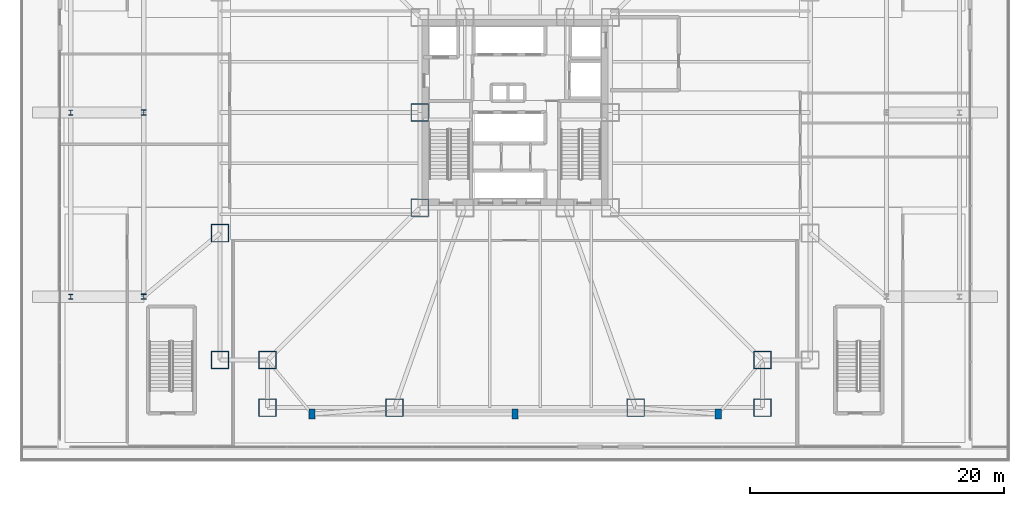
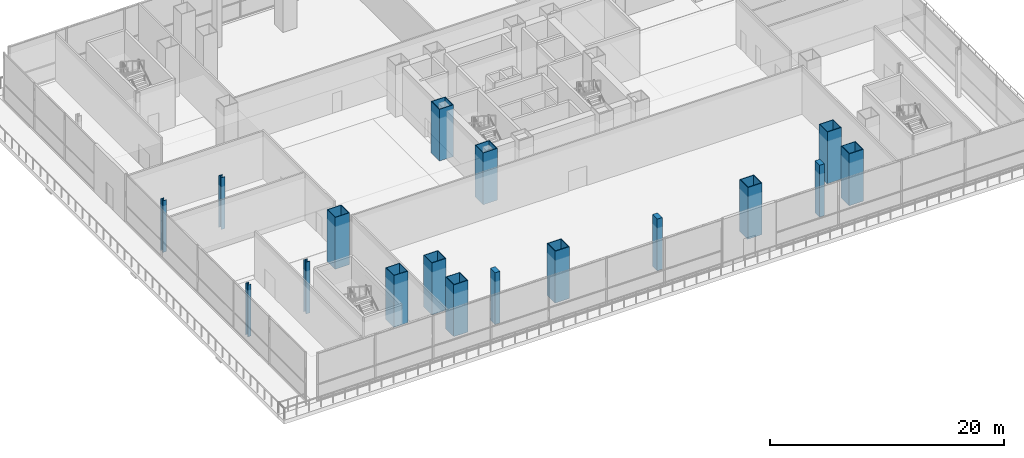
# One storey, part 1 of 35: 17 columns.
"""IFC4 building model written with IfcOpenShell, lengths in metres."""

import ifcopenshell
import ifcopenshell.guid

model = None  # the IFC model being written
_history = None  # IfcOwnerHistory: only IFC2X3 demands one
_inside = {}  # id of a spatial element -> (the spatial element, [elements in it])
_under = {}  # id of a project, library or spatial element -> (it, [spatial elements below it])
_declared = {}  # id of a project -> (the project, [libraries it declares])
_typed = {}  # id of a type object -> (the type object, [elements of that type])
_made_of = {}  # id of a material, layer set ... -> (it, [elements and type objects made of it])


def new_model(schema):
    """Start an empty IFC model of exactly this schema.

    Asked for "IFC4X3", IfcOpenShell would pick the latest addendum, in which some entities
    have other attributes; the version numbers below select the first issue.
    IFC2X3 requires an IfcOwnerHistory on every rooted entity: one is made here for all.
    """
    global model, _history
    if schema == "IFC4X3":
        model = ifcopenshell.file(schema_version=(4, 3, 0, 0))
    else:
        model = ifcopenshell.file(schema=schema)
    _inside.clear()
    _under.clear()
    _declared.clear()
    _typed.clear()
    _made_of.clear()
    _history = None
    if model.schema == "IFC2X3":
        org = make("IfcOrganization", Name="unknown")
        user = make(
            "IfcPersonAndOrganization",
            ThePerson=make("IfcPerson", FamilyName="unknown"),
            TheOrganization=org,
        )
        app = make(
            "IfcApplication",
            ApplicationDeveloper=org,
            Version="unknown",
            ApplicationFullName="unknown",
            ApplicationIdentifier="unknown",
        )
        _history = make(
            "IfcOwnerHistory",
            OwningUser=user,
            OwningApplication=app,
            ChangeAction="ADDED",
            CreationDate=0,
        )
    return model


def make(cls, **values):
    """One entity of the class cls with the attributes given. An attribute that is None is left unset."""
    return model.create_entity(
        cls, **{name: value for name, value in values.items() if value is not None}
    )


def rooted(cls, **values):
    """An entity with a GlobalId (a new one), such as an element, a storey or a relation."""
    return make(cls, GlobalId=ifcopenshell.guid.new(), OwnerHistory=_history, **values)


def si_unit(unit_type, name, prefix=None):
    """IfcSIUnit, for example si_unit("LENGTHUNIT", "METRE", prefix="MILLI")."""
    return make("IfcSIUnit", UnitType=unit_type, Prefix=prefix, Name=name)


def assignment(units):
    """IfcUnitAssignment: the units of a project."""
    return None if units is None else make("IfcUnitAssignment", Units=units)


def point(xyz):
    """IfcCartesianPoint."""
    return None if xyz is None else make("IfcCartesianPoint", Coordinates=xyz)


def direction(xyz):
    """IfcDirection."""
    return None if xyz is None else make("IfcDirection", DirectionRatios=xyz)


def frame(location, z_axis=None, x_axis=None):
    """IfcAxis2Placement3D, a coordinate frame: its origin and axes. An axis left out is left unset."""
    return make(
        "IfcAxis2Placement3D",
        Location=point(location),
        Axis=direction(z_axis),
        RefDirection=direction(x_axis),
    )


def frame_2d(location, x_axis=None):
    """IfcAxis2Placement2D, a coordinate frame in the plane: its origin and x axis."""
    return make(
        "IfcAxis2Placement2D", Location=point(location), RefDirection=direction(x_axis)
    )


def origin():
    """The frame at (0, 0, 0) with its axes left unset."""
    return frame((0.0, 0.0, 0.0))


def origin_2d():
    """The frame at (0, 0) in the plane with its x axis left unset."""
    return frame_2d((0.0, 0.0))


def place(relative_to, where):
    """IfcLocalPlacement: puts the frame where relative to a parent placement (None: the world)."""
    return make(
        "IfcLocalPlacement", PlacementRelTo=relative_to, RelativePlacement=where
    )


def context(
    kind, dimensions, precision=None, world=None, true_north=None, identifier=None
):
    """IfcGeometricRepresentationContext, for example the 3D "Model" context."""
    return make(
        "IfcGeometricRepresentationContext",
        ContextIdentifier=identifier,
        ContextType=kind,
        CoordinateSpaceDimension=dimensions,
        Precision=precision,
        WorldCoordinateSystem=world,
        TrueNorth=true_north,
    )


def subcontext(parent, identifier, kind, view, scale=None):
    """IfcGeometricRepresentationSubContext, for example "Body" below "Model"."""
    return make(
        "IfcGeometricRepresentationSubContext",
        ContextIdentifier=identifier,
        ContextType=kind,
        ParentContext=parent,
        TargetScale=scale,
        TargetView=view,
    )


def project(units=None, contexts=None):
    """IfcProject with its units and contexts."""
    return rooted(
        "IfcProject",
        Name="project",
        RepresentationContexts=contexts,
        UnitsInContext=assignment(units),
    )


def spatial(cls, under=None, at=None, **own):
    """A site, building, storey or space (cls), placed at a placement, below another one or the project."""
    s = rooted(cls, ObjectPlacement=at, **own)
    if under is not None:
        _under.setdefault(under.id(), (under, []))[1].append(s)
    return s


def profile(cls, at=None, kind="AREA", **sizes):
    """A parametric profile (cls). Its sizes go by their IFC names, for example OverallWidth=200.0."""
    return make(cls, ProfileType=kind, Position=at, **sizes)


def rectangle(**sizes):
    """IfcRectangleProfileDef."""
    return profile("IfcRectangleProfileDef", **sizes)


def hollow_rectangle(**sizes):
    """IfcRectangleHollowProfileDef."""
    return profile("IfcRectangleHollowProfileDef", **sizes)


def i_section(**sizes):
    """IfcIShapeProfileDef."""
    return profile("IfcIShapeProfileDef", **sizes)


def extrude(swept, where, along, depth):
    """IfcExtrudedAreaSolid: the profile swept, set in the frame where, extruded along a direction by depth."""
    return make(
        "IfcExtrudedAreaSolid",
        SweptArea=swept,
        Position=where,
        ExtrudedDirection=direction(along),
        Depth=depth,
    )


def shape(context_of_items, identifier, shape_type, items):
    """IfcShapeRepresentation: the items that make up one representation, for example the "Body"."""
    return make(
        "IfcShapeRepresentation",
        ContextOfItems=context_of_items,
        RepresentationIdentifier=identifier,
        RepresentationType=shape_type,
        Items=items,
    )


def material(Name=None, Category=None):
    """IfcMaterial."""
    return make("IfcMaterial", Name=Name, Category=Category)


def material_profile(
    of_material, cross_section, Name=None, Category=None, Priority=None
):
    """IfcMaterialProfile: a cross section and its material."""
    return make(
        "IfcMaterialProfile",
        Name=Name,
        Material=of_material,
        Profile=cross_section,
        Priority=Priority,
        Category=Category,
    )


def profile_set(profiles, Name=None, composite=None):
    """IfcMaterialProfileSet."""
    return make(
        "IfcMaterialProfileSet",
        Name=Name,
        MaterialProfiles=profiles,
        CompositeProfile=composite,
    )


def made_of(thing, what):
    """Note that an element or type object is made of a material, layer set ...; save() writes the relation."""
    if what is not None:
        _made_of.setdefault(what.id(), (what, []))[1].append(thing)
    return thing


def type_object(cls, material=None, **own):
    """A type object (cls), such as IfcWallType, which elements share."""
    return made_of(rooted(cls, **own), material)


def element(
    cls,
    number,
    at=None,
    inside=None,
    cuts=None,
    type_object=None,
    material=None,
    context=None,
    identifier="Body",
    shape_type=None,
    held_by="IfcProductDefinitionShape",
    body=None,
    shapes=None,
    **own,
):
    """One element of the class cls, such as IfcWall. Its Tag is "e" and its number.

    at: its placement. inside: the storey or other place that contains it. cuts: it is an
    opening in that element (IfcRelVoidsElement). A single representation is given by context,
    identifier, shape_type and body (its items); several are given by shapes. held_by: the class
    of the entity that holds the representations. save() writes the other relations.
    """
    e = rooted(cls, Tag="e%d" % number, ObjectPlacement=at, **own)
    if body is not None:
        shapes = [shape(context, identifier, shape_type, body)]
    if shapes is not None:
        e.Representation = make(held_by, Representations=shapes)
    if inside is not None:
        _inside.setdefault(inside.id(), (inside, []))[1].append(e)
    if cuts is not None:
        rooted(
            "IfcRelVoidsElement", RelatingBuildingElement=cuts, RelatedOpeningElement=e
        )
    if type_object is not None:
        _typed.setdefault(type_object.id(), (type_object, []))[1].append(e)
    return made_of(e, material)


def aggregate(whole, parts):
    """IfcRelAggregates: a whole, such as a stair, and the parts it consists of."""
    return rooted("IfcRelAggregates", RelatingObject=whole, RelatedObjects=parts)


def save(model, path):
    """Write the relations noted so far, then the file.

    IfcRelAggregates (storeys below a building ...), IfcRelContainedInSpatialStructure (elements
    in a storey), IfcRelDefinesByType, IfcRelAssociatesMaterial and IfcRelDeclares: one each for
    every whole, place, type object, material and project.
    """
    for whole, parts in _under.values():
        aggregate(whole, parts)
    for where, things in _inside.values():
        rooted(
            "IfcRelContainedInSpatialStructure",
            RelatedElements=things,
            RelatingStructure=where,
        )
    for kind, things in _typed.values():
        rooted("IfcRelDefinesByType", RelatedObjects=things, RelatingType=kind)
    for what, things in _made_of.values():
        rooted("IfcRelAssociatesMaterial", RelatedObjects=things, RelatingMaterial=what)
    for by, libraries in _declared.values():
        rooted("IfcRelDeclares", RelatingContext=by, RelatedDefinitions=libraries)
    model.write(path)


model = new_model("IFC4")

# Units and contexts
model_context = context("Model", 3, precision=1e-05, world=origin(), true_north=direction((0.0, 1.0)))
body_context = subcontext(model_context, "Body", "Model", "MODEL_VIEW")
ifc_project = project(units=[si_unit("LENGTHUNIT", "METRE"), si_unit("AREAUNIT", "SQUARE_METRE"), si_unit("VOLUMEUNIT", "CUBIC_METRE"), si_unit("PLANEANGLEUNIT", "RADIAN"), si_unit("MASSUNIT", "GRAM", prefix="KILO")], contexts=[model_context])

# Site, building, storey
site_placement = place(None, origin())
site = spatial("IfcSite", under=ifc_project, at=site_placement, CompositionType="ELEMENT")
building_placement = place(site_placement, origin())
building = spatial("IfcBuilding", under=site, at=building_placement, Name="Trevonay Congress Spire", CompositionType="ELEMENT")
storey_placement = place(building_placement, frame((0.0, 0.0, 10.800048828125)))
storey = spatial("IfcBuildingStorey", under=building, at=storey_placement, Name="L02", CompositionType="ELEMENT", Elevation=10.800048828125)

# Columns
ifc_material_1 = material(Name="Steel ASTM A572 Grade 50", Category="steel")
ifc_material_profile_1 = material_profile(ifc_material_1, hollow_rectangle(XDim=1.39990234375, YDim=1.39990234375, WallThickness=0.06005859375, at=origin_2d()), Name="BOX 1400x1400x60")
ifc_profile_set_1 = profile_set([ifc_material_profile_1], Name="Steel ASTM A572 Grade 50")
column_type_1 = type_object("IfcColumnType", Name="COL-CORE-BOX1400", PredefinedType="COLUMN", material=ifc_profile_set_1)
for number, where, z_axis, x_axis, name in (
    (1, (-7.5, -7.5, 0.0), (0.0, 0.0, 1.0), (1.0, 0.0, 0.0), "L02 column C01 at CC-SW"),
    (2, (-7.5, 0.0, 0.0), (0.0, 0.0, 1.0), (1.0, 0.0, 0.0), "L02 column C01 at CC-W"),
    (3, (-19.5, -23.25, 0.0), (0.0, 0.0, 1.0), (1.0, 0.0, 0.0), "L02 column C01 at TM-S1"),
    (4, (-9.5, -23.25, 0.0), (0.0, 0.0, 1.0), (1.0, 0.0, 0.0), "L02 column C01 at TM-S2"),
    (5, (9.5, -23.25, 0.0), (0.0, 0.0, 1.0), (1.0, 0.0, 0.0), "L02 column C01 at TM-S5"),
    (6, (19.5, -23.25, 0.0), (0.0, 0.0, 1.0), (1.0, 0.0, 0.0), "L02 column C01 at TM-S6"),
    (7, (-23.25, -19.5, 0.0), (0.0, 0.0, 1.0), (1.0, 0.0, 0.0), "L02 column C01 at TM-W1"),
    (8, (-23.25, -9.5, 0.0), (0.0, 0.0, 1.0), (1.0, 0.0, 0.0), "L02 column C01 at TM-W2"),
    (9, (-19.5, -19.5, 0.0), (0.0, 0.0, 1.0), (1.0, 0.0, 0.0), "L02 column C01 at TM-CSW"),
    (10, (19.5, -19.5, 0.0), (0.0, 0.0, 1.0), (1.0, 0.0, 0.0), "L02 column C01 at TM-CSE"),
):
    element("IfcColumn", number, at=place(storey_placement, frame(where, z_axis=z_axis, x_axis=x_axis)), inside=storey, type_object=column_type_1, Name=name, PredefinedType="COLUMN", context=body_context, shape_type="SweptSolid", body=[
        extrude(hollow_rectangle(XDim=1.39990234375, YDim=1.39990234375, WallThickness=0.06005859375, at=origin_2d()), origin(), (0.0, 0.0, 1.0), 5.39990234375),
    ])
ifc_material_2 = material(Name="Concrete C60/75", Category="concrete")
ifc_material_profile_2 = material_profile(ifc_material_2, rectangle(XDim=0.5, YDim=0.800048828125, at=origin_2d()), Name="RC 800x500")
ifc_profile_set_2 = profile_set([ifc_material_profile_2], Name="Concrete C60/75")
column_type_2 = type_object("IfcColumnType", Name="COL-PIL-RC800X500", PredefinedType="PILASTER", material=ifc_profile_set_2)
for number, where, z_axis, x_axis, name in (
    (11, (-16.0, -23.75, 0.0), (0.0, 0.0, 1.0), (1.0, 0.0, 0.0), "L02 column C13 at PS-1"),
    (12, (0.0, -23.75, 0.0), (0.0, 0.0, 1.0), (1.0, 0.0, 0.0), "L02 column C13 at PS-2"),
    (13, (16.0, -23.75, 0.0), (0.0, 0.0, 1.0), (1.0, 0.0, 0.0), "L02 column C13 at PS-3"),
):
    element("IfcColumn", number, at=place(storey_placement, frame(where, z_axis=z_axis, x_axis=x_axis)), inside=storey, type_object=column_type_2, Name=name, PredefinedType="PILASTER", context=body_context, shape_type="SweptSolid", body=[
        extrude(rectangle(XDim=0.5, YDim=0.800048828125, at=origin_2d()), origin(), (0.0, 0.0, 1.0), 5.39990234375),
    ])
ifc_material_profile_3 = material_profile(ifc_material_1, i_section(OverallWidth=0.367919921875, OverallDepth=0.425048828125, WebThickness=0.02978515625, FlangeThickness=0.047607421875, FilletRadius=0.02001953125, at=origin_2d()), Name="W360x421")
ifc_profile_set_3 = profile_set([ifc_material_profile_3], Name="Steel ASTM A572 Grade 50")
column_type_3 = type_object("IfcColumnType", Name="COL-POD-W360X421", PredefinedType="COLUMN", material=ifc_profile_set_3)
for number, where, z_axis, x_axis, name in (
    (14, (-29.25, -14.5, 0.0), (0.0, 0.0, 1.0), (1.0, 0.0, 0.0), "L02 column C08 at PW-1"),
    (15, (-29.25, 0.0, 0.0), (0.0, 0.0, 1.0), (1.0, 0.0, 0.0), "L02 column C08 at PW-2"),
):
    element("IfcColumn", number, at=place(storey_placement, frame(where, z_axis=z_axis, x_axis=x_axis)), inside=storey, type_object=column_type_3, Name=name, PredefinedType="COLUMN", context=body_context, shape_type="SweptSolid", body=[
        extrude(i_section(OverallWidth=0.367919921875, OverallDepth=0.425048828125, WebThickness=0.02978515625, FlangeThickness=0.047607421875, FilletRadius=0.02001953125, at=origin_2d()), origin(), (0.0, 0.0, 1.0), 5.39990234375),
    ])
ifc_material_profile_4 = material_profile(ifc_material_1, i_section(OverallWidth=0.340087890625, OverallDepth=0.39306640625, WebThickness=0.020263671875, FlangeThickness=0.033203125, FilletRadius=0.02001953125, at=origin_2d()), Name="W360x287")
ifc_profile_set_4 = profile_set([ifc_material_profile_4], Name="Steel ASTM A572 Grade 50")
column_type_4 = type_object("IfcColumnType", Name="COL-STEP-W360X287", PredefinedType="COLUMN", material=ifc_profile_set_4)
for number, where, z_axis, x_axis, name in (
    (16, (-35.0, -14.5, -0.400146484375), (0.0, 0.0, 1.0), (1.0, 0.0, 0.0), "L02 column C10 at SW-1"),
    (17, (-35.0, 0.0, -0.400146484375), (0.0, 0.0, 1.0), (1.0, 0.0, 0.0), "L02 column C10 at SW-2"),
):
    element("IfcColumn", number, at=place(storey_placement, frame(where, z_axis=z_axis, x_axis=x_axis)), inside=storey, type_object=column_type_4, Name=name, PredefinedType="COLUMN", context=body_context, shape_type="SweptSolid", body=[
        extrude(i_section(OverallWidth=0.340087890625, OverallDepth=0.39306640625, WebThickness=0.020263671875, FlangeThickness=0.033203125, FilletRadius=0.02001953125, at=origin_2d()), origin(), (0.0, 0.0, 1.0), 5.400146484375),
    ])

save(model, "model.ifc")
